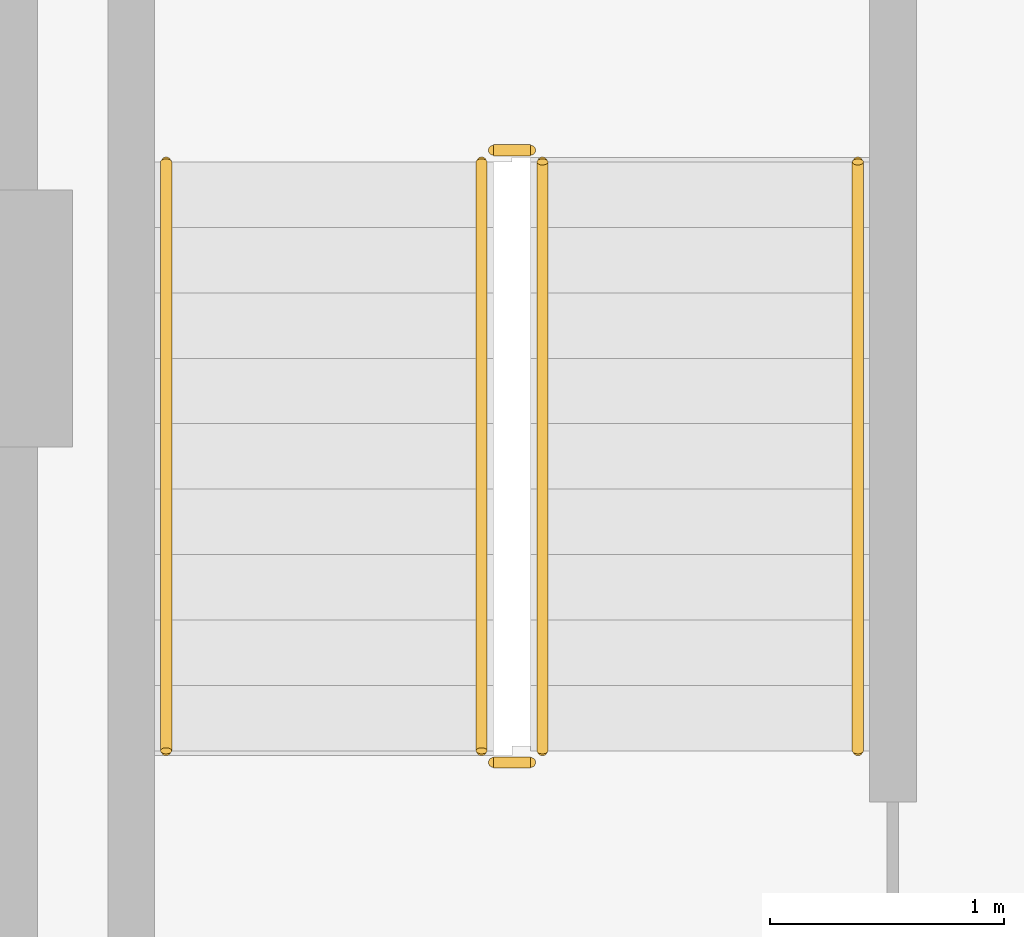
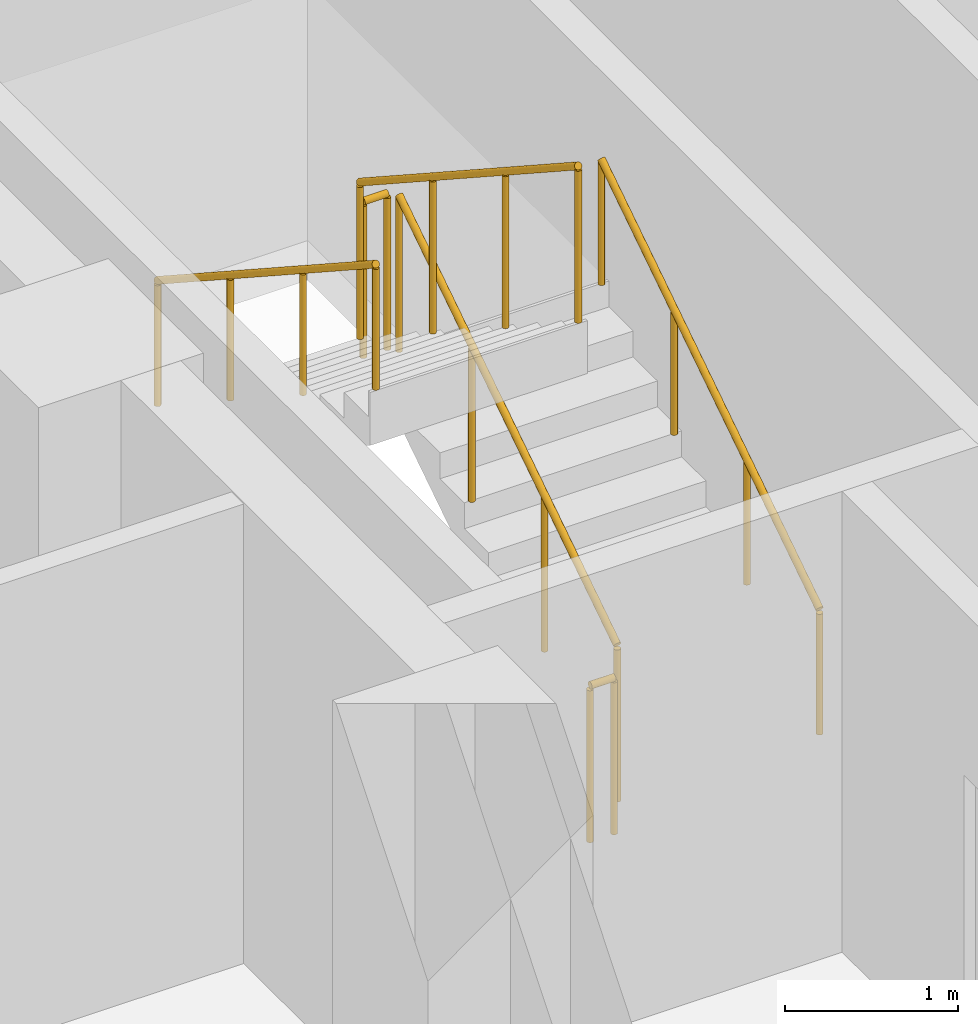
# One storey, part 12 of 14: 6 railings.
"""IFC4 building model written with IfcOpenShell, lengths in metres."""

from ifc_helpers import new_model, si_unit, direction, frame, origin, origin_2d, place, context, subcontext, project, spatial, circle, extrude, material, type_object, element, save


model = new_model("IFC4")

# Units and contexts
model_context = context("Model", 3, precision=1e-05, world=origin(), true_north=direction((0.0, 1.0)))
body_context = subcontext(model_context, "Body", "Model", "MODEL_VIEW")
ifc_project = project(units=[si_unit("LENGTHUNIT", "METRE"), si_unit("AREAUNIT", "SQUARE_METRE"), si_unit("VOLUMEUNIT", "CUBIC_METRE"), si_unit("PLANEANGLEUNIT", "RADIAN"), si_unit("MASSUNIT", "GRAM", prefix="KILO")], contexts=[model_context])

# Site, building, storey
site_placement = place(None, origin())
site = spatial("IfcSite", under=ifc_project, at=site_placement, CompositionType="ELEMENT")
building_placement = place(site_placement, origin())
building = spatial("IfcBuilding", under=site, at=building_placement, Name="Nuvemarco Arch Tower", CompositionType="ELEMENT")
storey_placement = place(building_placement, frame((0.0, 0.0, 112.89990234375)))
storey = spatial("IfcBuildingStorey", under=building, at=storey_placement, Name="L29", CompositionType="ELEMENT", Elevation=112.89990234375)

# Railings
ifc_material_1 = material(Name="Brushed stainless steel handrail", Category="steel")
railing_type_1 = type_object("IfcRailingType", Name="RL-HANDRAIL-900", PredefinedType="HANDRAIL", material=ifc_material_1)
railing_1_placement = place(storey_placement, frame((-13.590087890625, 2.64990234375, 0.1826171875)))
element("IfcRailing", 1, at=railing_1_placement, inside=storey, type_object=railing_type_1, Name="L29 ST-1 stair handrail 1", PredefinedType="HANDRAIL", context=body_context, shape_type="SweptSolid", body=[
    extrude(circle(Radius=0.02392578125, at=origin_2d()), frame((0.0, 0.0, 0.8759765625), z_axis=(0.0, 0.837749427056, 0.546054848405), x_axis=(-1.0, 0.0, 0.0)), (0.0, 0.0, 1.0), 3.008056640625),
    extrude(circle(Radius=0.02099609375, at=origin_2d()), origin(), (0.0, 0.0, 1.0), 0.851806640625),
    extrude(circle(Radius=0.02099609375, at=origin_2d()), frame((0.0, 0.840087890625, 0.547607421875)), (0.0, 0.0, 1.0), 0.851806640625),
    extrude(circle(Radius=0.02099609375, at=origin_2d()), frame((0.0, 1.679931640625, 1.094970703125)), (0.0, 0.0, 1.0), 0.851806640625),
    extrude(circle(Radius=0.02099609375, at=origin_2d()), frame((0.0, 2.52001953125, 1.642578125)), (0.0, 0.0, 1.0), 0.851806640625),
])
railing_2_placement = place(storey_placement, frame((-16.550048828125, 5.169921875, 2.007568359375)))
element("IfcRailing", 2, at=railing_2_placement, inside=storey, type_object=railing_type_1, Name="L29 ST-1 stair handrail 2", PredefinedType="HANDRAIL", context=body_context, shape_type="SweptSolid", body=[
    extrude(circle(Radius=0.02392578125, at=origin_2d()), frame((0.0, 0.0, 0.8759765625), z_axis=(0.0, -0.837749427056, 0.546054848405), x_axis=(1.0, 0.0, 0.0)), (0.0, 0.0, 1.0), 3.008056640625),
    extrude(circle(Radius=0.02099609375, at=origin_2d()), origin(), (0.0, 0.0, 1.0), 0.851806640625),
    extrude(circle(Radius=0.02099609375, at=origin_2d()), frame((0.0, -0.840087890625, 0.547607421875)), (0.0, 0.0, 1.0), 0.851806640625),
    extrude(circle(Radius=0.02099609375, at=origin_2d()), frame((0.0, -1.679931640625, 1.094970703125)), (0.0, 0.0, 1.0), 0.851806640625),
    extrude(circle(Radius=0.02099609375, at=origin_2d()), frame((0.0, -2.52001953125, 1.642578125)), (0.0, 0.0, 1.0), 0.851806640625),
])
ifc_material_2 = material(Name="Painted balustrade steel S355", Category="steel")
railing_type_2 = type_object("IfcRailingType", Name="RL-STAIR-GUARD", PredefinedType="GUARDRAIL", material=ifc_material_2)
railing_3_placement = place(storey_placement, frame((-14.93994140625, 2.64990234375, 0.1826171875)))
element("IfcRailing", 3, at=railing_3_placement, inside=storey, type_object=railing_type_2, Name="L29 ST-1 stair guard 1", PredefinedType="GUARDRAIL", context=body_context, shape_type="SweptSolid", body=[
    extrude(circle(Radius=0.02392578125, at=origin_2d()), frame((0.0, 0.0, 1.09619140625), z_axis=(0.0, 0.837749427056, 0.546054848405), x_axis=(-1.0, 0.0, 0.0)), (0.0, 0.0, 1.0), 3.008056640625),
    extrude(circle(Radius=0.02099609375, at=origin_2d()), origin(), (0.0, 0.0, 1.0), 1.072021484375),
    extrude(circle(Radius=0.02099609375, at=origin_2d()), frame((0.0, 0.840087890625, 0.547607421875)), (0.0, 0.0, 1.0), 1.072021484375),
    extrude(circle(Radius=0.02099609375, at=origin_2d()), frame((0.0, 1.679931640625, 1.094970703125)), (0.0, 0.0, 1.0), 1.072021484375),
    extrude(circle(Radius=0.02099609375, at=origin_2d()), frame((0.0, 2.52001953125, 1.642578125)), (0.0, 0.0, 1.0), 1.072021484375),
])
railing_4_placement = place(storey_placement, frame((-14.989990234375, 5.219970703125, 1.8251953125)))
element("IfcRailing", 4, at=railing_4_placement, inside=storey, type_object=railing_type_2, Name="L29 ST-1 stair guard 2", PredefinedType="GUARDRAIL", context=body_context, shape_type="SweptSolid", body=[
    extrude(circle(Radius=0.02392578125, at=origin_2d()), frame((0.0, 0.0, 1.09619140625), z_axis=(-1.0, 0.0, 0.0), x_axis=(0.0, -1.0, 0.0)), (0.0, 0.0, 1.0), 0.159912109375),
    extrude(circle(Radius=0.02099609375, at=origin_2d()), origin(), (0.0, 0.0, 1.0), 1.072021484375),
    extrude(circle(Radius=0.02099609375, at=origin_2d()), frame((-0.159912109375, 0.0, 0.0)), (0.0, 0.0, 1.0), 1.072021484375),
])
railing_5_placement = place(storey_placement, frame((-15.199951171875, 5.169921875, 2.007568359375)))
element("IfcRailing", 5, at=railing_5_placement, inside=storey, type_object=railing_type_2, Name="L29 ST-1 stair guard 3", PredefinedType="GUARDRAIL", context=body_context, shape_type="SweptSolid", body=[
    extrude(circle(Radius=0.02392578125, at=origin_2d()), frame((0.0, 0.0, 1.09619140625), z_axis=(0.0, -0.837749427056, 0.546054848405), x_axis=(1.0, 0.0, 0.0)), (0.0, 0.0, 1.0), 3.008056640625),
    extrude(circle(Radius=0.02099609375, at=origin_2d()), origin(), (0.0, 0.0, 1.0), 1.072021484375),
    extrude(circle(Radius=0.02099609375, at=origin_2d()), frame((0.0, -0.840087890625, 0.547607421875)), (0.0, 0.0, 1.0), 1.072021484375),
    extrude(circle(Radius=0.02099609375, at=origin_2d()), frame((0.0, -1.679931640625, 1.094970703125)), (0.0, 0.0, 1.0), 1.072021484375),
    extrude(circle(Radius=0.02099609375, at=origin_2d()), frame((0.0, -2.52001953125, 1.642578125)), (0.0, 0.0, 1.0), 1.072021484375),
])
railing_6_placement = place(storey_placement, frame((-14.989990234375, 2.60009765625, 0.0)))
element("IfcRailing", 6, at=railing_6_placement, inside=storey, type_object=railing_type_2, Name="L29 ST-1 stair guard 4", PredefinedType="GUARDRAIL", context=body_context, shape_type="SweptSolid", body=[
    extrude(circle(Radius=0.02392578125, at=origin_2d()), frame((0.0, 0.0, 1.09619140625), z_axis=(-1.0, 0.0, 0.0), x_axis=(0.0, -1.0, 0.0)), (0.0, 0.0, 1.0), 0.159912109375),
    extrude(circle(Radius=0.02099609375, at=origin_2d()), origin(), (0.0, 0.0, 1.0), 1.072021484375),
    extrude(circle(Radius=0.02099609375, at=origin_2d()), frame((-0.159912109375, 0.0, 0.0)), (0.0, 0.0, 1.0), 1.072021484375),
])

save(model, "model.ifc")
